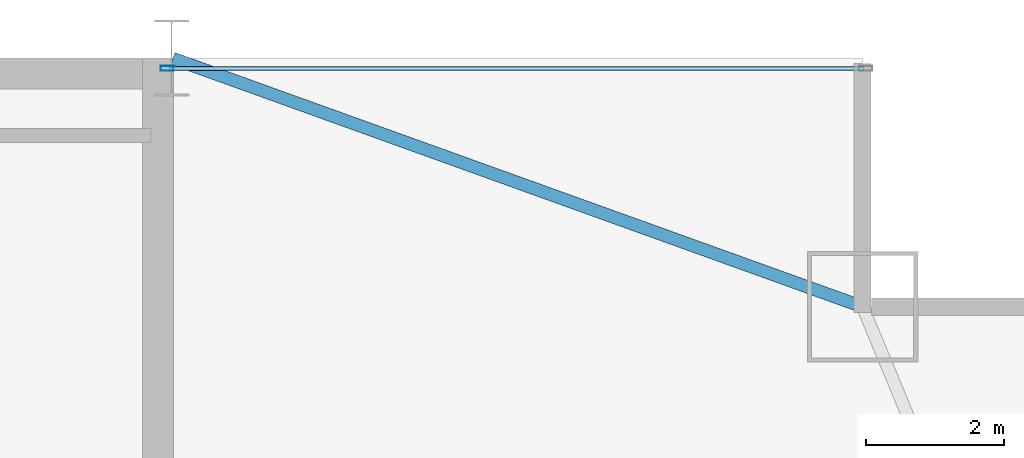
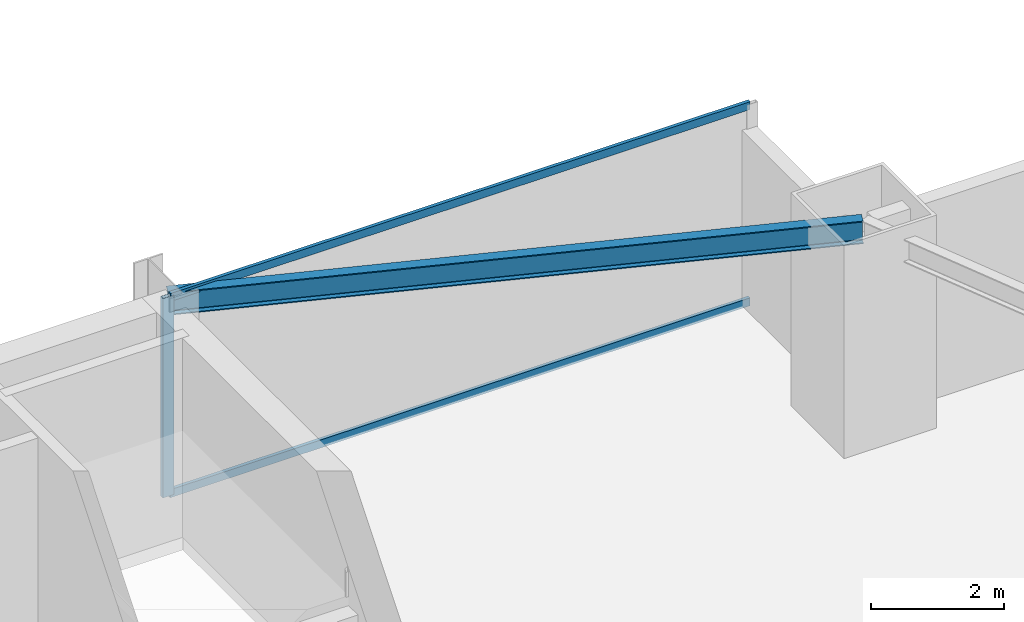
# One storey, part 23 of 32: 3 members, 1 beam, 1 element without a shape of its own.
"""IFC4 building model written with IfcOpenShell, lengths in metres."""

from ifc_helpers import new_model, si_unit, direction, frame, origin, origin_2d, place, context, subcontext, project, spatial, hollow_rectangle, i_section, extrude, source, transform, mapped, material, layer, layer_set, material_profile, profile_set, type_object, type_shapes, element, aggregate, save


model = new_model("IFC4")

# Units and contexts
model_context = context("Model", 3, precision=1e-05, world=origin(), true_north=direction((0.0, 1.0)))
body_context = subcontext(model_context, "Body", "Model", "MODEL_VIEW")
ifc_project = project(units=[si_unit("LENGTHUNIT", "METRE"), si_unit("AREAUNIT", "SQUARE_METRE"), si_unit("VOLUMEUNIT", "CUBIC_METRE"), si_unit("PLANEANGLEUNIT", "RADIAN"), si_unit("MASSUNIT", "GRAM", prefix="KILO")], contexts=[model_context])

# Site, building, storey
site_placement = place(None, origin())
site = spatial("IfcSite", under=ifc_project, at=site_placement, CompositionType="ELEMENT")
building_placement = place(site_placement, origin())
building = spatial("IfcBuilding", under=site, at=building_placement, Name="Varnel Quay Broadcast Tower", CompositionType="ELEMENT")
storey_placement = place(building_placement, frame((0.0, 0.0, 58.800048828125)))
storey = spatial("IfcBuildingStorey", under=building, at=storey_placement, Name="L13", CompositionType="ELEMENT", Elevation=58.800048828125)

# Beam
ifc_material_1 = material(Name="Structural Steel CSA G40.21 350W", Category="steel")
ifc_material_profile_1 = material_profile(ifc_material_1, i_section(OverallWidth=0.180908203125, OverallDepth=0.4169921875, WebThickness=0.010986328125, FlangeThickness=0.018310546875, FilletRadius=0.011962890625, at=origin_2d()), Name="W410X85")
ifc_profile_set_1 = profile_set([ifc_material_profile_1], Name="Structural Steel CSA G40.21 350W")
beam_type = type_object("IfcBeamType", Name="Beam_W410X85", PredefinedType="SPANDREL", material=ifc_profile_set_1)
shared_shape_1 = source(origin(), body_context, "Body", "SweptSolid", [
    extrude(i_section(OverallWidth=0.180908203125, OverallDepth=0.4169921875, WebThickness=0.010986328125, FlangeThickness=0.018310546875, FilletRadius=0.011962890625, at=origin_2d()), origin(), (0.0, 0.0, 1.0), 10.58837890625),
])
type_shapes(beam_type, [shared_shape_1])
beam_placement = place(storey_placement, frame((52.418701171875, 46.793212890625, 3.44140625), z_axis=(0.940888587605, -0.338716202321, 0.0), x_axis=(0.338716202321, 0.940888587605, 0.0)))
element("IfcBeam", 1, at=beam_placement, inside=storey, type_object=beam_type, Name="L13 NE Tie Spandrel", PredefinedType="SPANDREL", context=body_context, shape_type="MappedRepresentation", body=[
    mapped(shared_shape_1, transform((0.0, 0.0, 0.0), x_axis=(1.0, 0.0, 0.0), y_axis=(0.0, 1.0, 0.0), z_axis=(0.0, 0.0, 1.0), scale=1.0)),
])

# Curtain wall, members
ifc_material_2 = material(Name="Anodised Bronze Aluminium 6063-T6", Category="aluminium")
ifc_layer = layer(ifc_material_2, 0.18994140625, Name="Anodised Bronze Aluminium 6063-T6")
ifc_layer_set = layer_set([ifc_layer], Name="Anodised Bronze Aluminium 6063-T6")
curtain_wall_type = type_object("IfcCurtainWallType", Name="CW_LowerTower", PredefinedType="NOTDEFINED", material=ifc_layer_set)
curtain_wall_placement = place(storey_placement, origin())
curtain_wall = element("IfcCurtainWall", 2, at=curtain_wall_placement, inside=storey, type_object=curtain_wall_type, Name="L13 NE Wing Curtain Wall", PredefinedType="NOTDEFINED")
ifc_material_profile_2 = material_profile(ifc_material_2, hollow_rectangle(XDim=0.070068359375, YDim=0.18994140625, WallThickness=0.00390625, at=origin_2d()), Name="ALU70X190X4")
ifc_profile_set_2 = profile_set([ifc_material_profile_2], Name="Anodised Bronze Aluminium 6063-T6")
member_type_1 = type_object("IfcMemberType", Name="Mull_CWS-02", PredefinedType="MULLION", material=ifc_profile_set_2)
shared_shape_2 = source(origin(), body_context, "Body", "SweptSolid", [
    extrude(hollow_rectangle(XDim=0.070068359375, YDim=0.18994140625, WallThickness=0.00390625, at=origin_2d()), origin(), (0.0, 0.0, 1.0), 3.64990234375),
])
type_shapes(member_type_1, [shared_shape_2])
member_1_placement = place(storey_placement, frame((52.3349609375, 46.64990234375, 0.0), z_axis=(0.0, 0.0, 1.0), x_axis=(0.0, 1.0, 0.0)))
member_1 = element("IfcMember", 3, at=member_1_placement, type_object=member_type_1, Name="CWS-02 mullion 1", PredefinedType="MULLION", context=body_context, shape_type="MappedRepresentation", body=[
    mapped(shared_shape_2, transform((0.0, 0.0, 0.0), x_axis=(1.0, 0.0, 0.0), y_axis=(0.0, 1.0, 0.0), z_axis=(0.0, 0.0, 1.0), scale=1.0)),
])
ifc_material_profile_3 = material_profile(ifc_material_2, hollow_rectangle(XDim=0.06005859375, YDim=0.14501953125, WallThickness=0.00341796875, at=origin_2d()), Name="ALU60X145X3.5")
ifc_profile_set_3 = profile_set([ifc_material_profile_3], Name="Anodised Bronze Aluminium 6063-T6")
member_type_2 = type_object("IfcMemberType", Name="Tran_CWS-02", PredefinedType="USERDEFINED", material=ifc_profile_set_3)
shared_shape_3 = source(origin(), body_context, "Body", "SweptSolid", [
    extrude(hollow_rectangle(XDim=0.06005859375, YDim=0.14501953125, WallThickness=0.00341796875, at=origin_2d()), origin(), (0.0, 0.0, 1.0), 10.039794921875),
])
type_shapes(member_type_2, [shared_shape_3])
member_2_placement = place(storey_placement, frame((52.3701171875, 46.64990234375, 0.030029296875), z_axis=(1.0, 0.0, 0.0), x_axis=(0.0, 1.0, 0.0)))
member_2 = element("IfcMember", 4, at=member_2_placement, type_object=member_type_2, Name="CWS-02 transom 1.1", ObjectType="TRANSOM", PredefinedType="USERDEFINED", context=body_context, shape_type="MappedRepresentation", body=[
    mapped(shared_shape_3, transform((0.0, 0.0, 0.0), x_axis=(1.0, 0.0, 0.0), y_axis=(0.0, 1.0, 0.0), z_axis=(0.0, 0.0, 1.0), scale=1.0)),
])
member_3_placement = place(storey_placement, frame((52.3701171875, 46.64990234375, 3.619873046875), z_axis=(1.0, 0.0, 0.0), x_axis=(0.0, 1.0, 0.0)))
member_3 = element("IfcMember", 5, at=member_3_placement, type_object=member_type_2, Name="CWS-02 transom 1.2", ObjectType="TRANSOM", PredefinedType="USERDEFINED", context=body_context, shape_type="MappedRepresentation", body=[
    mapped(shared_shape_3, transform((0.0, 0.0, 0.0), x_axis=(1.0, 0.0, 0.0), y_axis=(0.0, 1.0, 0.0), z_axis=(0.0, 0.0, 1.0), scale=1.0)),
])
aggregate(curtain_wall, [member_1, member_2, member_3])

save(model, "model.ifc")
